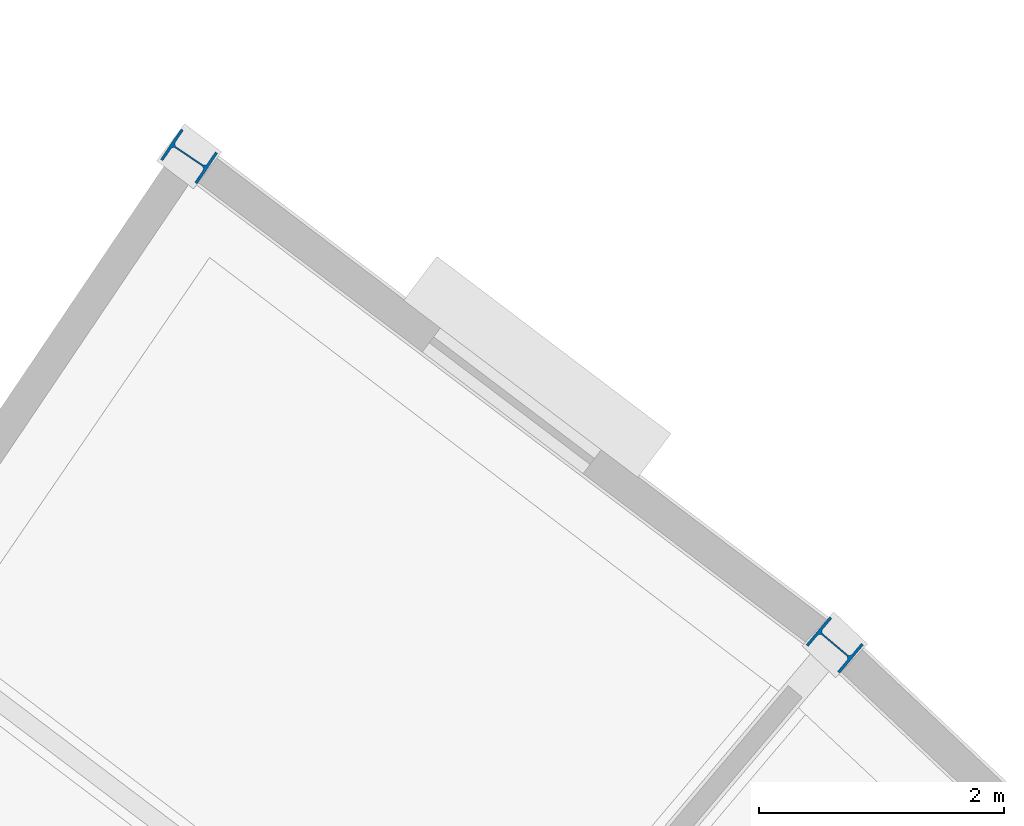
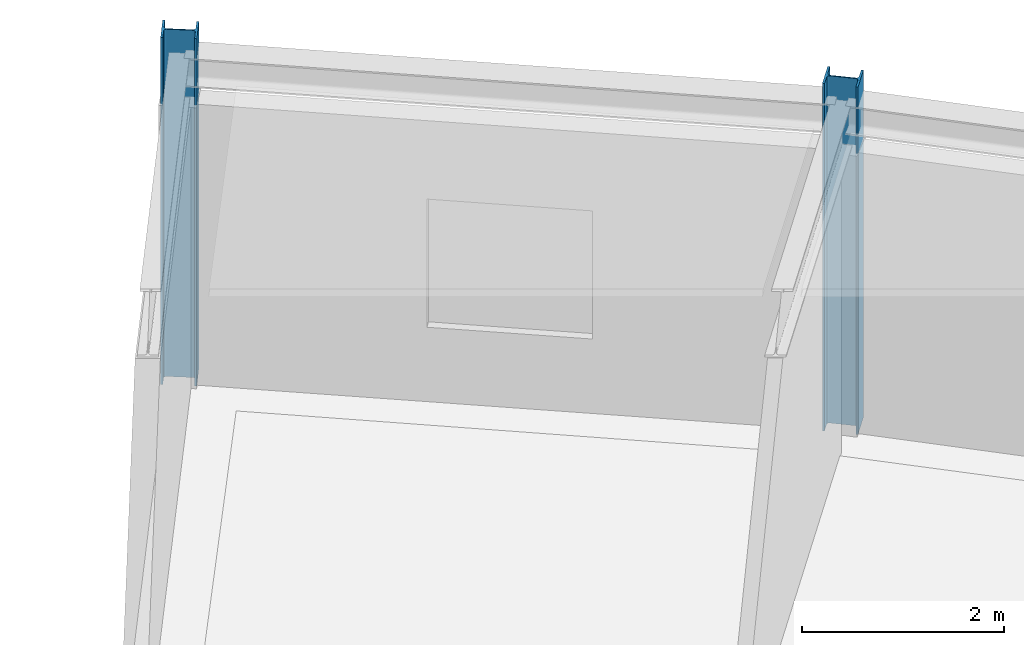
# One storey, part 10 of 63: 2 columns.
"""IFC4 building model written with IfcOpenShell, lengths in metres."""

from ifc_helpers import new_model, si_unit, direction, frame, origin, origin_2d, place, context, subcontext, project, spatial, i_section, extrude, material, material_profile, profile_set, type_object, element, save


model = new_model("IFC4")

# Units and contexts
model_context = context("Model", 3, precision=1e-05, world=origin(), true_north=direction((0.0, 1.0)))
body_context = subcontext(model_context, "Body", "Model", "MODEL_VIEW")
ifc_project = project(units=[si_unit("LENGTHUNIT", "METRE"), si_unit("AREAUNIT", "SQUARE_METRE"), si_unit("VOLUMEUNIT", "CUBIC_METRE"), si_unit("PLANEANGLEUNIT", "RADIAN"), si_unit("MASSUNIT", "GRAM", prefix="KILO")], contexts=[model_context])

# Site, building, storey
site_placement = place(None, origin())
site = spatial("IfcSite", under=ifc_project, at=site_placement, CompositionType="ELEMENT")
building_placement = place(site_placement, origin())
building = spatial("IfcBuilding", under=site, at=building_placement, Name="Tarnveldt Headland Concert Hall", CompositionType="ELEMENT")
storey_placement = place(building_placement, frame((0.0, 0.0, 14.39990234375)))
storey = spatial("IfcBuildingStorey", under=building, at=storey_placement, Name="L03", CompositionType="ELEMENT", Elevation=14.39990234375)

# Columns
ifc_material = material(Name="Steel S355", Category="steel")
ifc_material_profile = material_profile(ifc_material, i_section(OverallWidth=0.300048828125, OverallDepth=0.360107421875, WebThickness=0.012451171875, FlangeThickness=0.0224609375, FilletRadius=0.027099609375, at=origin_2d()), Name="HEB360", Category="steel")
ifc_profile_set = profile_set([ifc_material_profile], Name="Steel S355")
column_type = type_object("IfcColumnType", Name="SC-HEB360", PredefinedType="COLUMN", material=ifc_profile_set)
for number, where, z_axis, x_axis, name in (
    (1, (156.89111328125, 106.576416015625, 0.0), (0.0, 0.0, 1.0), (0.645724263505, 0.763570674869, 0.0), "Column V3C17OUT L03"),
    (2, (151.61083984375, 110.5712890625, 0.0), (0.0, 0.0, 1.0), (0.559192903471, 0.829037572555, 0.0), "Column V3C18OUT L03"),
):
    element("IfcColumn", number, at=place(storey_placement, frame(where, z_axis=z_axis, x_axis=x_axis)), inside=storey, type_object=column_type, Name=name, PredefinedType="COLUMN", context=body_context, shape_type="SweptSolid", body=[
        extrude(i_section(OverallWidth=0.300048828125, OverallDepth=0.360107421875, WebThickness=0.012451171875, FlangeThickness=0.0224609375, FilletRadius=0.027099609375, at=origin_2d()), origin(), (0.0, 0.0, 1.0), 4.2001953125),
    ])

save(model, "model.ifc")
